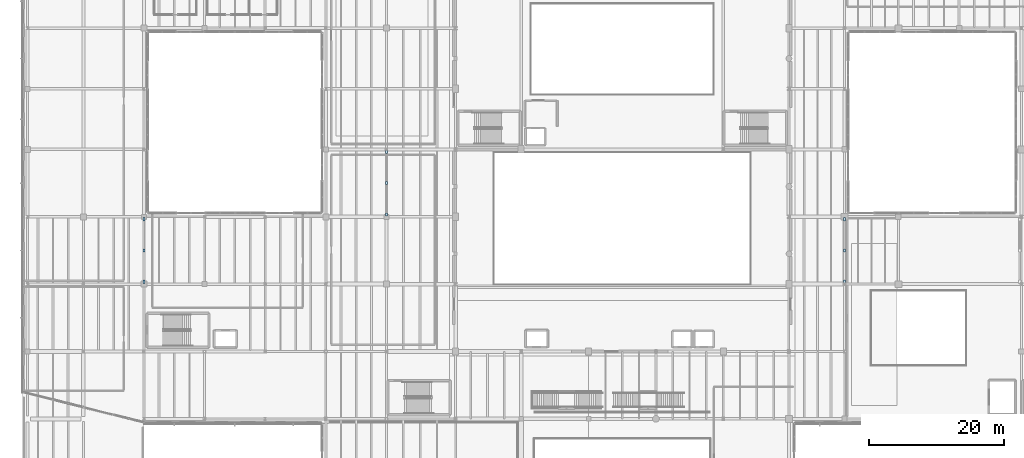
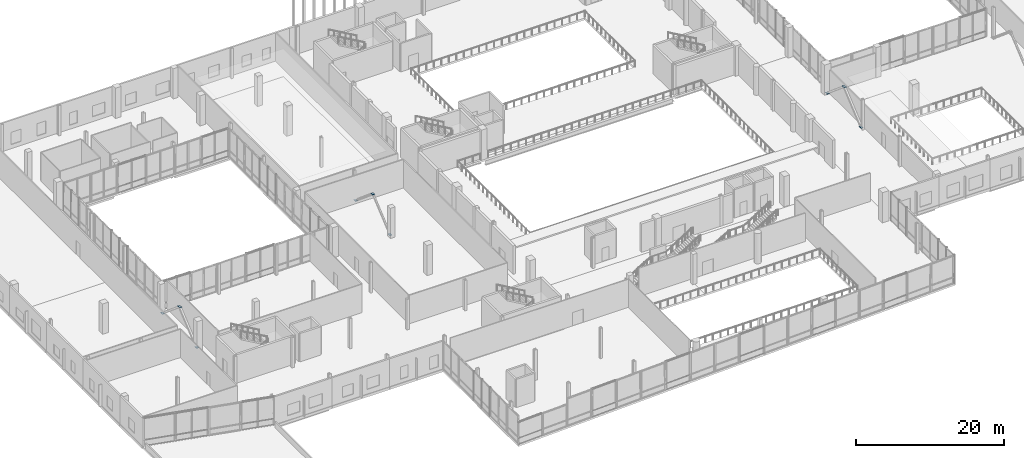
# One storey, part 56 of 81: 9 plates.
"""IFC4 building model written with IfcOpenShell, lengths in metres."""

from ifc_helpers import new_model, si_unit, direction, frame, origin, origin_2d, place, context, subcontext, project, spatial, rectangle, extrude, material, layer, layer_set, type_object, element, save


model = new_model("IFC4")

# Units and contexts
model_context = context("Model", 3, precision=1e-05, world=origin(), true_north=direction((0.0, 1.0)))
body_context = subcontext(model_context, "Body", "Model", "MODEL_VIEW")
ifc_project = project(units=[si_unit("LENGTHUNIT", "METRE"), si_unit("AREAUNIT", "SQUARE_METRE"), si_unit("VOLUMEUNIT", "CUBIC_METRE"), si_unit("PLANEANGLEUNIT", "RADIAN"), si_unit("MASSUNIT", "GRAM", prefix="KILO")], contexts=[model_context])

# Site, building, storey
site_placement = place(None, origin())
site = spatial("IfcSite", under=ifc_project, at=site_placement, CompositionType="ELEMENT")
building_placement = place(site_placement, origin())
building = spatial("IfcBuilding", under=site, at=building_placement, Name="Trimount Lyric Opera House", CompositionType="ELEMENT")
storey_placement = place(building_placement, frame((0.0, 0.0, 5.0)))
storey = spatial("IfcBuildingStorey", under=building, at=storey_placement, Name="L01", CompositionType="ELEMENT", Elevation=5.0)

# Plates
ifc_material = material(Name="Steel ASTM A572 Grade 50", Category="steel")
ifc_layer = layer(ifc_material, 0.02490234375)
ifc_layer_set = layer_set([ifc_layer], Name="KN-02")
plate_type = type_object("IfcPlateType", Name="KN-02", PredefinedType="USERDEFINED", material=ifc_layer_set)
for number, where, z_axis, x_axis, name in (
    (1, (18.0, 64.35009765625, 0.137451171875), (0.0, 0.0, 1.0), (0.0, 1.0, 0.0), "L01 brace BRC-BF-1-L01-L1 end gusset plate A"),
    (2, (18.0, 69.0, 4.03759765625), (0.0, 0.0, 1.0), (0.0, 1.0, 0.0), "L01 brace BRC-BF-1-L01-L1 end gusset plate B"),
    (3, (18.0, 73.64990234375, 0.137451171875), (0.0, 0.0, 1.0), (0.0, -1.0, 0.0), "L01 brace BRC-BF-1-L01-L2 end gusset plate A"),
    (4, (54.0, 74.35009765625, 0.137451171875), (0.0, 0.0, 1.0), (0.0, 1.0, 0.0), "L01 brace BRC-BF-2-L01-L1 end gusset plate A"),
    (5, (54.0, 79.0, 4.03759765625), (0.0, 0.0, 1.0), (0.0, 1.0, 0.0), "L01 brace BRC-BF-2-L01-L1 end gusset plate B"),
    (6, (54.0, 83.64990234375, 0.137451171875), (0.0, 0.0, 1.0), (0.0, -1.0, 0.0), "L01 brace BRC-BF-2-L01-L2 end gusset plate A"),
    (7, (122.0, 64.35009765625, 0.137451171875), (0.0, 0.0, 1.0), (0.0, 1.0, 0.0), "L01 brace BRC-BF-3-L01-L1 end gusset plate A"),
    (8, (122.0, 69.0, 4.03759765625), (0.0, 0.0, 1.0), (0.0, 1.0, 0.0), "L01 brace BRC-BF-3-L01-L1 end gusset plate B"),
    (9, (122.0, 73.64990234375, 0.137451171875), (0.0, 0.0, 1.0), (0.0, -1.0, 0.0), "L01 brace BRC-BF-3-L01-L2 end gusset plate A"),
):
    element("IfcPlate", number, at=place(storey_placement, frame(where, z_axis=z_axis, x_axis=x_axis)), inside=storey, type_object=plate_type, Name=name, ObjectType="GUSSET_PLATE", PredefinedType="USERDEFINED", context=body_context, shape_type="SweptSolid", body=[
        extrude(rectangle(XDim=0.47998046875, YDim=0.340087890625, at=origin_2d()), origin(), (0.0, 0.0, 1.0), 0.02490234375),
    ])

save(model, "model.ifc")
